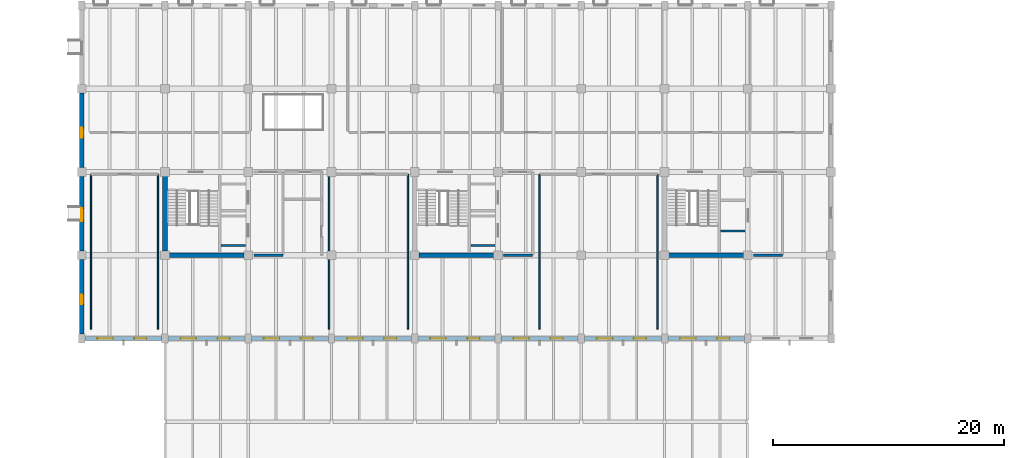
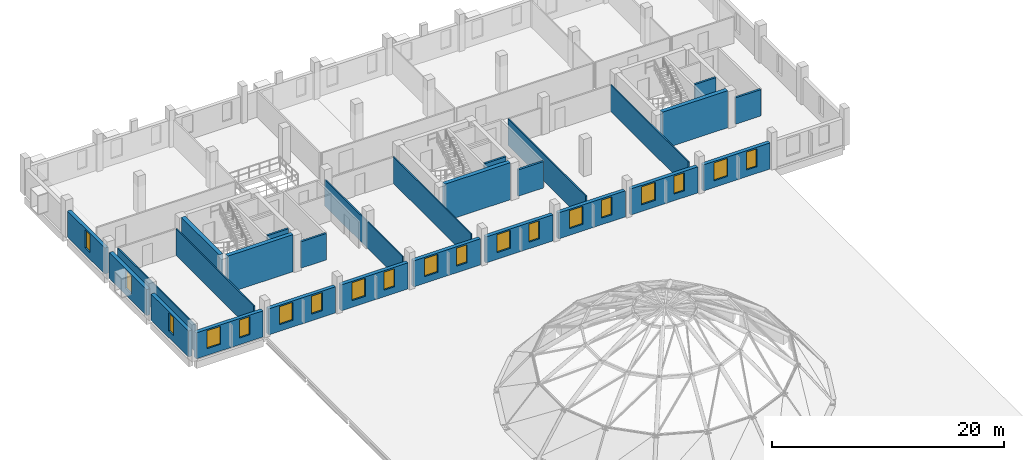
# One storey, part 26 of 32: 27 walls, 19 windows, 19 openings.
"""IFC4 building model written with IfcOpenShell, lengths in metres."""

from ifc_helpers import new_model, si_unit, direction, frame, frame_2d, origin, place, context, subcontext, project, spatial, rectangle, extrude, material, layer, layer_set, type_object, element, fill, save


model = new_model("IFC4")

# Units and contexts
model_context = context("Model", 3, precision=1e-05, world=origin(), true_north=direction((0.0, 1.0)))
body_context = subcontext(model_context, "Body", "Model", "MODEL_VIEW")
ifc_project = project(units=[si_unit("LENGTHUNIT", "METRE"), si_unit("AREAUNIT", "SQUARE_METRE"), si_unit("VOLUMEUNIT", "CUBIC_METRE"), si_unit("PLANEANGLEUNIT", "RADIAN"), si_unit("MASSUNIT", "GRAM", prefix="KILO")], contexts=[model_context])

# Site, building, storey
site_placement = place(None, origin())
site = spatial("IfcSite", under=ifc_project, at=site_placement, CompositionType="ELEMENT")
building_placement = place(site_placement, origin())
building = spatial("IfcBuilding", under=site, at=building_placement, Name="Qiaolan Assembly House", CompositionType="ELEMENT")
storey_placement = place(building_placement, frame((0.0, 0.0, 18.60009765625)))
storey = spatial("IfcBuildingStorey", under=building, at=storey_placement, Name="L04", CompositionType="ELEMENT", Elevation=18.60009765625)

# Walls
ifc_material_1 = material(Name="Concrete C45/55", Category="concrete")
ifc_layer_1 = layer(ifc_material_1, 0.39990234375)
ifc_layer_set_1 = layer_set([ifc_layer_1], Name="Concrete C45/55")
wall_type_1 = type_object("IfcWallType", Name="WAL-CORE-400", PredefinedType="SHEAR", material=ifc_layer_set_1)
for number, where, z_axis, x_axis, name in (
    (1, (43.550048828125, 93.60009765625, 0.0), (0.0, 0.0, 1.0), (1.0, 0.0, 0.0), "CW-400 shear core wall CORE-A S L04"),
    (2, (43.199951171875, 100.449951171875, 0.0), (0.0, 0.0, 1.0), (0.0, -1.0, 0.0), "CW-400 shear core wall CORE-A W L04"),
    (3, (65.14990234375, 93.60009765625, 0.0), (0.0, 0.0, 1.0), (1.0, 0.0, 0.0), "CW-400 shear core wall CORE-B S L04"),
    (4, (86.75, 93.60009765625, 0.0), (0.0, 0.0, 1.0), (1.0, 0.0, 0.0), "CW-400 shear core wall CORE-G S L04"),
):
    element("IfcWall", number, at=place(storey_placement, frame(where, z_axis=z_axis, x_axis=x_axis)), inside=storey, type_object=wall_type_1, Name=name, PredefinedType="SHEAR", context=body_context, shape_type="SweptSolid", body=[
        extrude(rectangle(XDim=6.5, YDim=0.39990234375, at=frame_2d((3.25, 0.0))), origin(), (0.0, 0.0, 1.0), 3.89990234375),
    ])

# Wall, openings, windows
ifc_material_2 = material(Name="Honed pale limestone", Category="masonry")
ifc_layer_2 = layer(ifc_material_2, 0.360107421875)
ifc_layer_set_2 = layer_set([ifc_layer_2], Name="Honed pale limestone")
wall_type_2 = type_object("IfcWallType", Name="WAL-EXT-LIMESTONE-360", PredefinedType="SOLIDWALL", material=ifc_layer_set_2)
wall_1_placement = place(storey_placement, frame((36.278076171875, 86.39990234375, 0.0), z_axis=(0.0, 0.0, 1.0), x_axis=(1.0, 0.0, 0.0)))
wall_1 = element("IfcWall", 5, at=wall_1_placement, inside=storey, type_object=wall_type_2, Name="EW-360 NW South court wall L04 bay 1", PredefinedType="SOLIDWALL", context=body_context, shape_type="SweptSolid", body=[
    extrude(rectangle(XDim=6.64404296875, YDim=0.360107421875, at=frame_2d((3.322021484375, 0.0))), origin(), (0.0, 0.0, 1.0), 2.739990234375),
])
opening_1_placement = place(wall_1_placement, frame((1.072021484375, 0.0, 0.699951171875)))
opening_1 = element("IfcOpeningElement", 6, at=opening_1_placement, cuts=wall_1, Name="Opening WN-130", PredefinedType="OPENING", context=body_context, shape_type="SweptSolid", body=[
    extrude(rectangle(XDim=1.35009765625, YDim=1.889892578125, at=frame_2d((0.675048828125, 0.94482421875))), frame((0.0, 0.18994140625, 0.0), z_axis=(0.0, -1.0, 0.0), x_axis=(1.0, 0.0, 0.0)), (0.0, 0.0, 1.0), 0.380126953125),
])
opening_2_placement = place(wall_1_placement, frame((4.27197265625, 0.0, 0.699951171875)))
opening_2 = element("IfcOpeningElement", 7, at=opening_2_placement, cuts=wall_1, Name="Opening WN-131", PredefinedType="OPENING", context=body_context, shape_type="SweptSolid", body=[
    extrude(rectangle(XDim=1.050048828125, YDim=1.889892578125, at=frame_2d((0.52490234375, 0.94482421875))), frame((0.0, 0.18994140625, 0.0), z_axis=(0.0, -1.0, 0.0), x_axis=(1.0, 0.0, 0.0)), (0.0, 0.0, 1.0), 0.380126953125),
])
ifc_material_3 = material(Name="Low-E double insulating glass", Category="glass")
window_type_1 = type_object("IfcWindowType", Name="WIN-COURT-1350x2400", PartitioningType="DOUBLE_PANEL_VERTICAL", PredefinedType="WINDOW", material=ifc_material_3)
window_1_placement = place(opening_1_placement, origin())
window_1 = element("IfcWindow", 8, at=window_1_placement, inside=storey, type_object=window_type_1, Name="WN-T04 court window WN-130", OverallHeight=1.889892578125, OverallWidth=1.35009765625, PartitioningType="DOUBLE_PANEL_VERTICAL", PredefinedType="WINDOW", context=body_context, shape_type="SweptSolid", body=[
    extrude(rectangle(XDim=1.35009765625, YDim=1.889892578125, at=frame_2d((0.675048828125, 0.94482421875))), frame((0.0, 0.030029296875, 0.0), z_axis=(0.0, -1.0, 0.0), x_axis=(1.0, 0.0, 0.0)), (0.0, 0.0, 1.0), 0.06005859375),
])
fill(opening_1, window_1)
window_type_2 = type_object("IfcWindowType", Name="WIN-PUNCH-1050x2400", PartitioningType="SINGLE_PANEL", PredefinedType="WINDOW", material=ifc_material_3)
window_2_placement = place(opening_2_placement, origin())
window_2 = element("IfcWindow", 9, at=window_2_placement, inside=storey, type_object=window_type_2, Name="WN-T05 court window WN-131", OverallHeight=1.889892578125, OverallWidth=1.050048828125, PartitioningType="SINGLE_PANEL", PredefinedType="WINDOW", context=body_context, shape_type="SweptSolid", body=[
    extrude(rectangle(XDim=1.050048828125, YDim=1.889892578125, at=frame_2d((0.52490234375, 0.94482421875))), frame((0.0, 0.030029296875, 0.0), z_axis=(0.0, -1.0, 0.0), x_axis=(1.0, 0.0, 0.0)), (0.0, 0.0, 1.0), 0.06005859375),
])
fill(opening_2, window_2)

wall_2_placement = place(storey_placement, frame((43.47802734375, 86.39990234375, 0.0), z_axis=(0.0, 0.0, 1.0), x_axis=(1.0, 0.0, 0.0)))
wall_2 = element("IfcWall", 10, at=wall_2_placement, inside=storey, type_object=wall_type_2, Name="EW-360 NW South court wall L04 bay 2", PredefinedType="SOLIDWALL", context=body_context, shape_type="SweptSolid", body=[
    extrude(rectangle(XDim=6.64404296875, YDim=0.360107421875, at=frame_2d((3.322021484375, 0.0))), origin(), (0.0, 0.0, 1.0), 2.739990234375),
])
opening_3_placement = place(wall_2_placement, frame((1.072021484375, 0.0, 0.699951171875)))
opening_3 = element("IfcOpeningElement", 11, at=opening_3_placement, cuts=wall_2, Name="Opening WN-132", PredefinedType="OPENING", context=body_context, shape_type="SweptSolid", body=[
    extrude(rectangle(XDim=1.35009765625, YDim=1.889892578125, at=frame_2d((0.675048828125, 0.94482421875))), frame((0.0, 0.18994140625, 0.0), z_axis=(0.0, -1.0, 0.0), x_axis=(1.0, 0.0, 0.0)), (0.0, 0.0, 1.0), 0.380126953125),
])
opening_4_placement = place(wall_2_placement, frame((4.27197265625, 0.0, 0.699951171875)))
opening_4 = element("IfcOpeningElement", 12, at=opening_4_placement, cuts=wall_2, Name="Opening WN-133", PredefinedType="OPENING", context=body_context, shape_type="SweptSolid", body=[
    extrude(rectangle(XDim=1.050048828125, YDim=1.889892578125, at=frame_2d((0.52490234375, 0.94482421875))), frame((0.0, 0.18994140625, 0.0), z_axis=(0.0, -1.0, 0.0), x_axis=(1.0, 0.0, 0.0)), (0.0, 0.0, 1.0), 0.380126953125),
])
window_3_placement = place(opening_3_placement, origin())
window_3 = element("IfcWindow", 13, at=window_3_placement, inside=storey, type_object=window_type_1, Name="WN-T04 court window WN-132", OverallHeight=1.889892578125, OverallWidth=1.35009765625, PartitioningType="DOUBLE_PANEL_VERTICAL", PredefinedType="WINDOW", context=body_context, shape_type="SweptSolid", body=[
    extrude(rectangle(XDim=1.35009765625, YDim=1.889892578125, at=frame_2d((0.675048828125, 0.94482421875))), frame((0.0, 0.030029296875, 0.0), z_axis=(0.0, -1.0, 0.0), x_axis=(1.0, 0.0, 0.0)), (0.0, 0.0, 1.0), 0.06005859375),
])
fill(opening_3, window_3)
window_4_placement = place(opening_4_placement, origin())
window_4 = element("IfcWindow", 14, at=window_4_placement, inside=storey, type_object=window_type_2, Name="WN-T05 court window WN-133", OverallHeight=1.889892578125, OverallWidth=1.050048828125, PartitioningType="SINGLE_PANEL", PredefinedType="WINDOW", context=body_context, shape_type="SweptSolid", body=[
    extrude(rectangle(XDim=1.050048828125, YDim=1.889892578125, at=frame_2d((0.52490234375, 0.94482421875))), frame((0.0, 0.030029296875, 0.0), z_axis=(0.0, -1.0, 0.0), x_axis=(1.0, 0.0, 0.0)), (0.0, 0.0, 1.0), 0.06005859375),
])
fill(opening_4, window_4)

wall_3_placement = place(storey_placement, frame((50.677978515625, 86.39990234375, 0.0), z_axis=(0.0, 0.0, 1.0), x_axis=(1.0, 0.0, 0.0)))
wall_3 = element("IfcWall", 15, at=wall_3_placement, inside=storey, type_object=wall_type_2, Name="EW-360 NW South court wall L04 bay 3", PredefinedType="SOLIDWALL", context=body_context, shape_type="SweptSolid", body=[
    extrude(rectangle(XDim=6.64404296875, YDim=0.360107421875, at=frame_2d((3.322021484375, 0.0))), origin(), (0.0, 0.0, 1.0), 2.739990234375),
])
opening_5_placement = place(wall_3_placement, frame((1.072021484375, 0.0, 0.699951171875)))
opening_5 = element("IfcOpeningElement", 16, at=opening_5_placement, cuts=wall_3, Name="Opening WN-134", PredefinedType="OPENING", context=body_context, shape_type="SweptSolid", body=[
    extrude(rectangle(XDim=1.35009765625, YDim=1.889892578125, at=frame_2d((0.675048828125, 0.94482421875))), frame((0.0, 0.18994140625, 0.0), z_axis=(0.0, -1.0, 0.0), x_axis=(1.0, 0.0, 0.0)), (0.0, 0.0, 1.0), 0.380126953125),
])
opening_6_placement = place(wall_3_placement, frame((4.27197265625, 0.0, 0.699951171875)))
opening_6 = element("IfcOpeningElement", 17, at=opening_6_placement, cuts=wall_3, Name="Opening WN-135", PredefinedType="OPENING", context=body_context, shape_type="SweptSolid", body=[
    extrude(rectangle(XDim=1.050048828125, YDim=1.889892578125, at=frame_2d((0.52490234375, 0.94482421875))), frame((0.0, 0.18994140625, 0.0), z_axis=(0.0, -1.0, 0.0), x_axis=(1.0, 0.0, 0.0)), (0.0, 0.0, 1.0), 0.380126953125),
])
window_5_placement = place(opening_5_placement, origin())
window_5 = element("IfcWindow", 18, at=window_5_placement, inside=storey, type_object=window_type_1, Name="WN-T04 court window WN-134", OverallHeight=1.889892578125, OverallWidth=1.35009765625, PartitioningType="DOUBLE_PANEL_VERTICAL", PredefinedType="WINDOW", context=body_context, shape_type="SweptSolid", body=[
    extrude(rectangle(XDim=1.35009765625, YDim=1.889892578125, at=frame_2d((0.675048828125, 0.94482421875))), frame((0.0, 0.030029296875, 0.0), z_axis=(0.0, -1.0, 0.0), x_axis=(1.0, 0.0, 0.0)), (0.0, 0.0, 1.0), 0.06005859375),
])
fill(opening_5, window_5)
window_6_placement = place(opening_6_placement, origin())
window_6 = element("IfcWindow", 19, at=window_6_placement, inside=storey, type_object=window_type_2, Name="WN-T05 court window WN-135", OverallHeight=1.889892578125, OverallWidth=1.050048828125, PartitioningType="SINGLE_PANEL", PredefinedType="WINDOW", context=body_context, shape_type="SweptSolid", body=[
    extrude(rectangle(XDim=1.050048828125, YDim=1.889892578125, at=frame_2d((0.52490234375, 0.94482421875))), frame((0.0, 0.030029296875, 0.0), z_axis=(0.0, -1.0, 0.0), x_axis=(1.0, 0.0, 0.0)), (0.0, 0.0, 1.0), 0.06005859375),
])
fill(opening_6, window_6)

wall_4_placement = place(storey_placement, frame((57.8779296875, 86.39990234375, 0.0), z_axis=(0.0, 0.0, 1.0), x_axis=(1.0, 0.0, 0.0)))
wall_4 = element("IfcWall", 20, at=wall_4_placement, inside=storey, type_object=wall_type_2, Name="EW-360 NW South court wall L04 bay 4", PredefinedType="SOLIDWALL", context=body_context, shape_type="SweptSolid", body=[
    extrude(rectangle(XDim=6.64404296875, YDim=0.360107421875, at=frame_2d((3.322021484375, 0.0))), origin(), (0.0, 0.0, 1.0), 2.739990234375),
])
opening_7_placement = place(wall_4_placement, frame((1.072021484375, 0.0, 0.699951171875)))
opening_7 = element("IfcOpeningElement", 21, at=opening_7_placement, cuts=wall_4, Name="Opening WN-136", PredefinedType="OPENING", context=body_context, shape_type="SweptSolid", body=[
    extrude(rectangle(XDim=1.35009765625, YDim=1.889892578125, at=frame_2d((0.675048828125, 0.94482421875))), frame((0.0, 0.18994140625, 0.0), z_axis=(0.0, -1.0, 0.0), x_axis=(1.0, 0.0, 0.0)), (0.0, 0.0, 1.0), 0.380126953125),
])
opening_8_placement = place(wall_4_placement, frame((4.27197265625, 0.0, 0.699951171875)))
opening_8 = element("IfcOpeningElement", 22, at=opening_8_placement, cuts=wall_4, Name="Opening WN-137", PredefinedType="OPENING", context=body_context, shape_type="SweptSolid", body=[
    extrude(rectangle(XDim=1.050048828125, YDim=1.889892578125, at=frame_2d((0.52490234375, 0.94482421875))), frame((0.0, 0.18994140625, 0.0), z_axis=(0.0, -1.0, 0.0), x_axis=(1.0, 0.0, 0.0)), (0.0, 0.0, 1.0), 0.380126953125),
])
window_7_placement = place(opening_7_placement, origin())
window_7 = element("IfcWindow", 23, at=window_7_placement, inside=storey, type_object=window_type_1, Name="WN-T04 court window WN-136", OverallHeight=1.889892578125, OverallWidth=1.35009765625, PartitioningType="DOUBLE_PANEL_VERTICAL", PredefinedType="WINDOW", context=body_context, shape_type="SweptSolid", body=[
    extrude(rectangle(XDim=1.35009765625, YDim=1.889892578125, at=frame_2d((0.675048828125, 0.94482421875))), frame((0.0, 0.030029296875, 0.0), z_axis=(0.0, -1.0, 0.0), x_axis=(1.0, 0.0, 0.0)), (0.0, 0.0, 1.0), 0.06005859375),
])
fill(opening_7, window_7)
window_8_placement = place(opening_8_placement, origin())
window_8 = element("IfcWindow", 24, at=window_8_placement, inside=storey, type_object=window_type_2, Name="WN-T05 court window WN-137", OverallHeight=1.889892578125, OverallWidth=1.050048828125, PartitioningType="SINGLE_PANEL", PredefinedType="WINDOW", context=body_context, shape_type="SweptSolid", body=[
    extrude(rectangle(XDim=1.050048828125, YDim=1.889892578125, at=frame_2d((0.52490234375, 0.94482421875))), frame((0.0, 0.030029296875, 0.0), z_axis=(0.0, -1.0, 0.0), x_axis=(1.0, 0.0, 0.0)), (0.0, 0.0, 1.0), 0.06005859375),
])
fill(opening_8, window_8)

wall_5_placement = place(storey_placement, frame((65.077880859375, 86.39990234375, 0.0), z_axis=(0.0, 0.0, 1.0), x_axis=(1.0, 0.0, 0.0)))
wall_5 = element("IfcWall", 25, at=wall_5_placement, inside=storey, type_object=wall_type_2, Name="EW-360 NW South court wall L04 bay 5", PredefinedType="SOLIDWALL", context=body_context, shape_type="SweptSolid", body=[
    extrude(rectangle(XDim=6.64404296875, YDim=0.360107421875, at=frame_2d((3.322021484375, 0.0))), origin(), (0.0, 0.0, 1.0), 2.739990234375),
])
opening_9_placement = place(wall_5_placement, frame((1.072021484375, 0.0, 0.699951171875)))
opening_9 = element("IfcOpeningElement", 26, at=opening_9_placement, cuts=wall_5, Name="Opening WN-138", PredefinedType="OPENING", context=body_context, shape_type="SweptSolid", body=[
    extrude(rectangle(XDim=1.35009765625, YDim=1.889892578125, at=frame_2d((0.675048828125, 0.94482421875))), frame((0.0, 0.18994140625, 0.0), z_axis=(0.0, -1.0, 0.0), x_axis=(1.0, 0.0, 0.0)), (0.0, 0.0, 1.0), 0.380126953125),
])
opening_10_placement = place(wall_5_placement, frame((4.27197265625, 0.0, 0.699951171875)))
opening_10 = element("IfcOpeningElement", 27, at=opening_10_placement, cuts=wall_5, Name="Opening WN-139", PredefinedType="OPENING", context=body_context, shape_type="SweptSolid", body=[
    extrude(rectangle(XDim=1.050048828125, YDim=1.889892578125, at=frame_2d((0.52490234375, 0.94482421875))), frame((0.0, 0.18994140625, 0.0), z_axis=(0.0, -1.0, 0.0), x_axis=(1.0, 0.0, 0.0)), (0.0, 0.0, 1.0), 0.380126953125),
])
window_9_placement = place(opening_9_placement, origin())
window_9 = element("IfcWindow", 28, at=window_9_placement, inside=storey, type_object=window_type_1, Name="WN-T04 court window WN-138", OverallHeight=1.889892578125, OverallWidth=1.35009765625, PartitioningType="DOUBLE_PANEL_VERTICAL", PredefinedType="WINDOW", context=body_context, shape_type="SweptSolid", body=[
    extrude(rectangle(XDim=1.35009765625, YDim=1.889892578125, at=frame_2d((0.675048828125, 0.94482421875))), frame((0.0, 0.030029296875, 0.0), z_axis=(0.0, -1.0, 0.0), x_axis=(1.0, 0.0, 0.0)), (0.0, 0.0, 1.0), 0.06005859375),
])
fill(opening_9, window_9)
window_10_placement = place(opening_10_placement, origin())
window_10 = element("IfcWindow", 29, at=window_10_placement, inside=storey, type_object=window_type_2, Name="WN-T05 court window WN-139", OverallHeight=1.889892578125, OverallWidth=1.050048828125, PartitioningType="SINGLE_PANEL", PredefinedType="WINDOW", context=body_context, shape_type="SweptSolid", body=[
    extrude(rectangle(XDim=1.050048828125, YDim=1.889892578125, at=frame_2d((0.52490234375, 0.94482421875))), frame((0.0, 0.030029296875, 0.0), z_axis=(0.0, -1.0, 0.0), x_axis=(1.0, 0.0, 0.0)), (0.0, 0.0, 1.0), 0.06005859375),
])
fill(opening_10, window_10)

wall_6_placement = place(storey_placement, frame((72.278076171875, 86.39990234375, 0.0), z_axis=(0.0, 0.0, 1.0), x_axis=(1.0, 0.0, 0.0)))
wall_6 = element("IfcWall", 30, at=wall_6_placement, inside=storey, type_object=wall_type_2, Name="EW-360 NW South court wall L04 bay 6", PredefinedType="SOLIDWALL", context=body_context, shape_type="SweptSolid", body=[
    extrude(rectangle(XDim=6.64404296875, YDim=0.360107421875, at=frame_2d((3.322021484375, 0.0))), origin(), (0.0, 0.0, 1.0), 2.739990234375),
])
opening_11_placement = place(wall_6_placement, frame((1.072021484375, 0.0, 0.699951171875)))
opening_11 = element("IfcOpeningElement", 31, at=opening_11_placement, cuts=wall_6, Name="Opening WN-140", PredefinedType="OPENING", context=body_context, shape_type="SweptSolid", body=[
    extrude(rectangle(XDim=1.35009765625, YDim=1.889892578125, at=frame_2d((0.675048828125, 0.94482421875))), frame((0.0, 0.18994140625, 0.0), z_axis=(0.0, -1.0, 0.0), x_axis=(1.0, 0.0, 0.0)), (0.0, 0.0, 1.0), 0.380126953125),
])
opening_12_placement = place(wall_6_placement, frame((4.27197265625, 0.0, 0.699951171875)))
opening_12 = element("IfcOpeningElement", 32, at=opening_12_placement, cuts=wall_6, Name="Opening WN-141", PredefinedType="OPENING", context=body_context, shape_type="SweptSolid", body=[
    extrude(rectangle(XDim=1.050048828125, YDim=1.889892578125, at=frame_2d((0.52490234375, 0.94482421875))), frame((0.0, 0.18994140625, 0.0), z_axis=(0.0, -1.0, 0.0), x_axis=(1.0, 0.0, 0.0)), (0.0, 0.0, 1.0), 0.380126953125),
])
window_11_placement = place(opening_11_placement, origin())
window_11 = element("IfcWindow", 33, at=window_11_placement, inside=storey, type_object=window_type_1, Name="WN-T04 court window WN-140", OverallHeight=1.889892578125, OverallWidth=1.35009765625, PartitioningType="DOUBLE_PANEL_VERTICAL", PredefinedType="WINDOW", context=body_context, shape_type="SweptSolid", body=[
    extrude(rectangle(XDim=1.35009765625, YDim=1.889892578125, at=frame_2d((0.675048828125, 0.94482421875))), frame((0.0, 0.030029296875, 0.0), z_axis=(0.0, -1.0, 0.0), x_axis=(1.0, 0.0, 0.0)), (0.0, 0.0, 1.0), 0.06005859375),
])
fill(opening_11, window_11)
window_12_placement = place(opening_12_placement, origin())
window_12 = element("IfcWindow", 34, at=window_12_placement, inside=storey, type_object=window_type_2, Name="WN-T05 court window WN-141", OverallHeight=1.889892578125, OverallWidth=1.050048828125, PartitioningType="SINGLE_PANEL", PredefinedType="WINDOW", context=body_context, shape_type="SweptSolid", body=[
    extrude(rectangle(XDim=1.050048828125, YDim=1.889892578125, at=frame_2d((0.52490234375, 0.94482421875))), frame((0.0, 0.030029296875, 0.0), z_axis=(0.0, -1.0, 0.0), x_axis=(1.0, 0.0, 0.0)), (0.0, 0.0, 1.0), 0.06005859375),
])
fill(opening_12, window_12)

wall_7_placement = place(storey_placement, frame((79.47802734375, 86.39990234375, 0.0), z_axis=(0.0, 0.0, 1.0), x_axis=(1.0, 0.0, 0.0)))
wall_7 = element("IfcWall", 35, at=wall_7_placement, inside=storey, type_object=wall_type_2, Name="EW-360 NW South court wall L04 bay 7", PredefinedType="SOLIDWALL", context=body_context, shape_type="SweptSolid", body=[
    extrude(rectangle(XDim=6.64404296875, YDim=0.360107421875, at=frame_2d((3.322021484375, 0.0))), origin(), (0.0, 0.0, 1.0), 2.739990234375),
])
opening_13_placement = place(wall_7_placement, frame((1.072021484375, 0.0, 0.699951171875)))
opening_13 = element("IfcOpeningElement", 36, at=opening_13_placement, cuts=wall_7, Name="Opening WN-142", PredefinedType="OPENING", context=body_context, shape_type="SweptSolid", body=[
    extrude(rectangle(XDim=1.35009765625, YDim=1.889892578125, at=frame_2d((0.675048828125, 0.94482421875))), frame((0.0, 0.18994140625, 0.0), z_axis=(0.0, -1.0, 0.0), x_axis=(1.0, 0.0, 0.0)), (0.0, 0.0, 1.0), 0.380126953125),
])
opening_14_placement = place(wall_7_placement, frame((4.27197265625, 0.0, 0.699951171875)))
opening_14 = element("IfcOpeningElement", 37, at=opening_14_placement, cuts=wall_7, Name="Opening WN-143", PredefinedType="OPENING", context=body_context, shape_type="SweptSolid", body=[
    extrude(rectangle(XDim=1.050048828125, YDim=1.889892578125, at=frame_2d((0.52490234375, 0.94482421875))), frame((0.0, 0.18994140625, 0.0), z_axis=(0.0, -1.0, 0.0), x_axis=(1.0, 0.0, 0.0)), (0.0, 0.0, 1.0), 0.380126953125),
])
window_13_placement = place(opening_13_placement, origin())
window_13 = element("IfcWindow", 38, at=window_13_placement, inside=storey, type_object=window_type_1, Name="WN-T04 court window WN-142", OverallHeight=1.889892578125, OverallWidth=1.35009765625, PartitioningType="DOUBLE_PANEL_VERTICAL", PredefinedType="WINDOW", context=body_context, shape_type="SweptSolid", body=[
    extrude(rectangle(XDim=1.35009765625, YDim=1.889892578125, at=frame_2d((0.675048828125, 0.94482421875))), frame((0.0, 0.030029296875, 0.0), z_axis=(0.0, -1.0, 0.0), x_axis=(1.0, 0.0, 0.0)), (0.0, 0.0, 1.0), 0.06005859375),
])
fill(opening_13, window_13)
window_14_placement = place(opening_14_placement, origin())
window_14 = element("IfcWindow", 39, at=window_14_placement, inside=storey, type_object=window_type_2, Name="WN-T05 court window WN-143", OverallHeight=1.889892578125, OverallWidth=1.050048828125, PartitioningType="SINGLE_PANEL", PredefinedType="WINDOW", context=body_context, shape_type="SweptSolid", body=[
    extrude(rectangle(XDim=1.050048828125, YDim=1.889892578125, at=frame_2d((0.52490234375, 0.94482421875))), frame((0.0, 0.030029296875, 0.0), z_axis=(0.0, -1.0, 0.0), x_axis=(1.0, 0.0, 0.0)), (0.0, 0.0, 1.0), 0.06005859375),
])
fill(opening_14, window_14)

wall_8_placement = place(storey_placement, frame((86.677978515625, 86.39990234375, 0.0), z_axis=(0.0, 0.0, 1.0), x_axis=(1.0, 0.0, 0.0)))
wall_8 = element("IfcWall", 40, at=wall_8_placement, inside=storey, type_object=wall_type_2, Name="EW-360 NW South court wall L04 bay 8", PredefinedType="SOLIDWALL", context=body_context, shape_type="SweptSolid", body=[
    extrude(rectangle(XDim=6.64404296875, YDim=0.360107421875, at=frame_2d((3.322021484375, 0.0))), origin(), (0.0, 0.0, 1.0), 2.739990234375),
])
opening_15_placement = place(wall_8_placement, frame((1.072021484375, 0.0, 0.699951171875)))
opening_15 = element("IfcOpeningElement", 41, at=opening_15_placement, cuts=wall_8, Name="Opening WN-144", PredefinedType="OPENING", context=body_context, shape_type="SweptSolid", body=[
    extrude(rectangle(XDim=1.35009765625, YDim=1.889892578125, at=frame_2d((0.675048828125, 0.94482421875))), frame((0.0, 0.18994140625, 0.0), z_axis=(0.0, -1.0, 0.0), x_axis=(1.0, 0.0, 0.0)), (0.0, 0.0, 1.0), 0.380126953125),
])
opening_16_placement = place(wall_8_placement, frame((4.27197265625, 0.0, 0.699951171875)))
opening_16 = element("IfcOpeningElement", 42, at=opening_16_placement, cuts=wall_8, Name="Opening WN-145", PredefinedType="OPENING", context=body_context, shape_type="SweptSolid", body=[
    extrude(rectangle(XDim=1.050048828125, YDim=1.889892578125, at=frame_2d((0.52490234375, 0.94482421875))), frame((0.0, 0.18994140625, 0.0), z_axis=(0.0, -1.0, 0.0), x_axis=(1.0, 0.0, 0.0)), (0.0, 0.0, 1.0), 0.380126953125),
])
window_15_placement = place(opening_15_placement, origin())
window_15 = element("IfcWindow", 43, at=window_15_placement, inside=storey, type_object=window_type_1, Name="WN-T04 court window WN-144", OverallHeight=1.889892578125, OverallWidth=1.35009765625, PartitioningType="DOUBLE_PANEL_VERTICAL", PredefinedType="WINDOW", context=body_context, shape_type="SweptSolid", body=[
    extrude(rectangle(XDim=1.35009765625, YDim=1.889892578125, at=frame_2d((0.675048828125, 0.94482421875))), frame((0.0, 0.030029296875, 0.0), z_axis=(0.0, -1.0, 0.0), x_axis=(1.0, 0.0, 0.0)), (0.0, 0.0, 1.0), 0.06005859375),
])
fill(opening_15, window_15)
window_16_placement = place(opening_16_placement, origin())
window_16 = element("IfcWindow", 44, at=window_16_placement, inside=storey, type_object=window_type_2, Name="WN-T05 court window WN-145", OverallHeight=1.889892578125, OverallWidth=1.050048828125, PartitioningType="SINGLE_PANEL", PredefinedType="WINDOW", context=body_context, shape_type="SweptSolid", body=[
    extrude(rectangle(XDim=1.050048828125, YDim=1.889892578125, at=frame_2d((0.52490234375, 0.94482421875))), frame((0.0, 0.030029296875, 0.0), z_axis=(0.0, -1.0, 0.0), x_axis=(1.0, 0.0, 0.0)), (0.0, 0.0, 1.0), 0.06005859375),
])
fill(opening_16, window_16)

# Wall, opening, window
wall_9_placement = place(storey_placement, frame((36.0, 86.800537109375, 0.0), z_axis=(0.0, 0.0, 1.0), x_axis=(0.0, 1.0, 0.0)))
wall_9 = element("IfcWall", 45, at=wall_9_placement, inside=storey, type_object=wall_type_2, Name="NW West avenue wall L04-1", PredefinedType="SOLIDWALL", context=body_context, shape_type="SweptSolid", body=[
    extrude(rectangle(XDim=6.42138671875, YDim=0.360107421875, at=frame_2d((3.210693359375, 0.0))), origin(), (0.0, 0.0, 1.0), 2.739990234375),
])
opening_17_placement = place(wall_9_placement, frame((2.549560546875, 0.0, 0.699951171875)))
opening_17 = element("IfcOpeningElement", 46, at=opening_17_placement, cuts=wall_9, Name="Opening WN-148", PredefinedType="OPENING", context=body_context, shape_type="SweptSolid", body=[
    extrude(rectangle(XDim=0.85009765625, YDim=1.889892578125, at=frame_2d((0.425048828125, 0.94482421875))), frame((0.0, 0.18994140625, 0.0), z_axis=(0.0, -1.0, 0.0), x_axis=(1.0, 0.0, 0.0)), (0.0, 0.0, 1.0), 0.380126953125),
])
window_type_3 = type_object("IfcWindowType", Name="WIN-END-850x2200", PartitioningType="SINGLE_PANEL", PredefinedType="WINDOW", material=ifc_material_3)
window_17_placement = place(opening_17_placement, origin())
window_17 = element("IfcWindow", 47, at=window_17_placement, inside=storey, type_object=window_type_3, Name="NW West window WN-148", OverallHeight=1.889892578125, OverallWidth=0.85009765625, PartitioningType="SINGLE_PANEL", PredefinedType="WINDOW", context=body_context, shape_type="SweptSolid", body=[
    extrude(rectangle(XDim=0.85009765625, YDim=1.889892578125, at=frame_2d((0.425048828125, 0.94482421875))), frame((0.0, 0.030029296875, 0.0), z_axis=(0.0, -1.0, 0.0), x_axis=(1.0, 0.0, 0.0)), (0.0, 0.0, 1.0), 0.06005859375),
])
fill(opening_17, window_17)

wall_10_placement = place(storey_placement, frame((36.0, 93.97802734375, 0.0), z_axis=(0.0, 0.0, 1.0), x_axis=(0.0, 1.0, 0.0)))
wall_10 = element("IfcWall", 48, at=wall_10_placement, inside=storey, type_object=wall_type_2, Name="NW West avenue wall L04-2", PredefinedType="SOLIDWALL", context=body_context, shape_type="SweptSolid", body=[
    extrude(rectangle(XDim=6.444091796875, YDim=0.360107421875, at=frame_2d((3.22216796875, 0.0))), origin(), (0.0, 0.0, 1.0), 2.739990234375),
])
opening_18_placement = place(wall_10_placement, frame((2.572021484375, 0.0, 0.699951171875)))
opening_18 = element("IfcOpeningElement", 49, at=opening_18_placement, cuts=wall_10, Name="Opening WN-150", PredefinedType="OPENING", context=body_context, shape_type="SweptSolid", body=[
    extrude(rectangle(XDim=1.10009765625, YDim=1.889892578125, at=frame_2d((0.550048828125, 0.94482421875))), frame((0.0, 0.18994140625, 0.0), z_axis=(0.0, -1.0, 0.0), x_axis=(1.0, 0.0, 0.0)), (0.0, 0.0, 1.0), 0.380126953125),
])
window_type_4 = type_object("IfcWindowType", Name="WIN-BOX-1100x2350", PartitioningType="SINGLE_PANEL", PredefinedType="WINDOW", material=ifc_material_3)
window_18_placement = place(opening_18_placement, origin())
window_18 = element("IfcWindow", 50, at=window_18_placement, inside=storey, type_object=window_type_4, Name="NW West window WN-150", OverallHeight=1.889892578125, OverallWidth=1.10009765625, PartitioningType="SINGLE_PANEL", PredefinedType="WINDOW", context=body_context, shape_type="SweptSolid", body=[
    extrude(rectangle(XDim=1.10009765625, YDim=1.889892578125, at=frame_2d((0.550048828125, 0.94482421875))), frame((0.0, 0.030029296875, 0.0), z_axis=(0.0, -1.0, 0.0), x_axis=(1.0, 0.0, 0.0)), (0.0, 0.0, 1.0), 0.06005859375),
])
fill(opening_18, window_18)

wall_11_placement = place(storey_placement, frame((36.0, 101.177978515625, 0.0), z_axis=(0.0, 0.0, 1.0), x_axis=(0.0, 1.0, 0.0)))
wall_11 = element("IfcWall", 51, at=wall_11_placement, inside=storey, type_object=wall_type_2, Name="NW West avenue wall L04-3", PredefinedType="SOLIDWALL", context=body_context, shape_type="SweptSolid", body=[
    extrude(rectangle(XDim=6.444091796875, YDim=0.360107421875, at=frame_2d((3.22216796875, 0.0))), origin(), (0.0, 0.0, 1.0), 2.739990234375),
])
opening_19_placement = place(wall_11_placement, frame((2.572021484375, 0.0, 0.699951171875)))
opening_19 = element("IfcOpeningElement", 52, at=opening_19_placement, cuts=wall_11, Name="Opening WN-152", PredefinedType="OPENING", context=body_context, shape_type="SweptSolid", body=[
    extrude(rectangle(XDim=0.85009765625, YDim=1.889892578125, at=frame_2d((0.425048828125, 0.94482421875))), frame((0.0, 0.18994140625, 0.0), z_axis=(0.0, -1.0, 0.0), x_axis=(1.0, 0.0, 0.0)), (0.0, 0.0, 1.0), 0.380126953125),
])
window_19_placement = place(opening_19_placement, origin())
window_19 = element("IfcWindow", 53, at=window_19_placement, inside=storey, type_object=window_type_3, Name="NW West window WN-152", OverallHeight=1.889892578125, OverallWidth=0.85009765625, PartitioningType="SINGLE_PANEL", PredefinedType="WINDOW", context=body_context, shape_type="SweptSolid", body=[
    extrude(rectangle(XDim=0.85009765625, YDim=1.889892578125, at=frame_2d((0.425048828125, 0.94482421875))), frame((0.0, 0.030029296875, 0.0), z_axis=(0.0, -1.0, 0.0), x_axis=(1.0, 0.0, 0.0)), (0.0, 0.0, 1.0), 0.06005859375),
])
fill(opening_19, window_19)

# Walls
ifc_material_4 = material(Name="Concrete C35/45", Category="concrete")
ifc_layer_3 = layer(ifc_material_4, 0.199951171875)
ifc_layer_set_3 = layer_set([ifc_layer_3], Name="Concrete C35/45")
wall_type_3 = type_object("IfcWallType", Name="WAL-LOBBY-200", PredefinedType="PARTITIONING", material=ifc_layer_set_3)
for number, where, z_axis, x_axis, name in (
    (54, (50.8798828125, 93.60009765625, 0.0), (0.0, 0.0, 1.0), (1.0, 0.0, 0.0), "Firefighting lift lobby south wall CORE-A L04"),
    (55, (72.47998046875, 93.60009765625, 0.0), (0.0, 0.0, 1.0), (1.0, 0.0, 0.0), "Firefighting lift lobby south wall CORE-B L04"),
    (56, (94.080078125, 93.60009765625, 0.0), (0.0, 0.0, 1.0), (1.0, 0.0, 0.0), "Firefighting lift lobby south wall CORE-G L04"),
):
    element("IfcWall", number, at=place(storey_placement, frame(where, z_axis=z_axis, x_axis=x_axis)), inside=storey, type_object=wall_type_3, Name=name, PredefinedType="PARTITIONING", context=body_context, shape_type="SweptSolid", body=[
        extrude(rectangle(XDim=2.52001953125, YDim=0.199951171875, at=frame_2d((1.260009765625, 0.0))), origin(), (0.0, 0.0, 1.0), 2.77978515625),
    ])
ifc_material_5 = material(Name="Gypsum plasterboard partition")
ifc_layer_4 = layer(ifc_material_5, 0.1201171875)
ifc_layer_set_4 = layer_set([ifc_layer_4], Name="Gypsum plasterboard partition")
wall_type_4 = type_object("IfcWallType", Name="WAL-PART-120", PredefinedType="PARTITIONING", material=ifc_layer_set_4)
for number, where, z_axis, x_axis, name in (
    (57, (36.800048828125, 87.199951171875, 0.0), (0.0, 0.0, 1.0), (0.0, 1.0, 0.0), "Internal Audit Working Suite west wall"),
    (58, (42.60009765625, 100.60009765625, 0.0), (0.0, 0.0, 1.0), (0.0, -1.0, 0.0), "Internal Audit Working Suite east wall"),
    (59, (57.39990234375, 87.199951171875, 0.0), (0.0, 0.0, 1.0), (0.0, 1.0, 0.0), "Procurement Evaluation Room west wall"),
    (60, (64.199951171875, 100.60009765625, 0.0), (0.0, 0.0, 1.0), (0.0, -1.0, 0.0), "Procurement Evaluation Room east wall"),
    (61, (75.60009765625, 87.199951171875, 0.0), (0.0, 0.0, 1.0), (0.0, 1.0, 0.0), "Treasury & Revenue Accounts Office west wall"),
    (62, (85.800048828125, 100.60009765625, 0.0), (0.0, 0.0, 1.0), (0.0, -1.0, 0.0), "Treasury & Revenue Accounts Office east wall"),
):
    element("IfcWall", number, at=place(storey_placement, frame(where, z_axis=z_axis, x_axis=x_axis)), inside=storey, type_object=wall_type_4, Name=name, PredefinedType="PARTITIONING", context=body_context, shape_type="SweptSolid", body=[
        extrude(rectangle(XDim=13.400146484375, YDim=0.1201171875, at=frame_2d((6.7001953125, 0.0))), origin(), (0.0, 0.0, 1.0), 2.77978515625),
    ])
ifc_layer_5 = layer(ifc_material_4, 0.18505859375)
ifc_layer_set_5 = layer_set([ifc_layer_5], Name="Concrete C35/45")
wall_type_5 = type_object("IfcWallType", Name="WAL-SHAFT-200", PredefinedType="PARTITIONING", material=ifc_layer_set_5)
wall_12_placement = place(storey_placement, frame((48.050048828125, 94.449951171875, 0.0), z_axis=(0.0, 0.0, 1.0), x_axis=(1.0, 0.0, 0.0)))
element("IfcWall", 63, at=wall_12_placement, inside=storey, type_object=wall_type_5, Name="SW-200 lift shaft wall LF-01 L04 DIVS", PredefinedType="PARTITIONING", context=body_context, shape_type="SweptSolid", body=[
    extrude(rectangle(XDim=2.099853515625, YDim=0.18505859375, at=frame_2d((1.0498046875, 0.0))), origin(), (0.0, 0.0, 1.0), 3.89990234375),
])
for number, where, z_axis, x_axis, name in (
    (64, (69.64990234375, 94.449951171875, 0.0), (0.0, 0.0, 1.0), (1.0, 0.0, 0.0), "SW-200 lift shaft wall LF-03 L04 DIVS"),
    (65, (91.25, 95.699951171875, 0.0), (0.0, 0.0, 1.0), (1.0, 0.0, 0.0), "SW-200 lift shaft wall LF-05 L04 DIVS"),
):
    element("IfcWall", number, at=place(storey_placement, frame(where, z_axis=z_axis, x_axis=x_axis)), inside=storey, type_object=wall_type_5, Name=name, PredefinedType="PARTITIONING", context=body_context, shape_type="SweptSolid", body=[
        extrude(rectangle(XDim=2.10009765625, YDim=0.18505859375, at=frame_2d((1.050048828125, 0.0))), origin(), (0.0, 0.0, 1.0), 3.89990234375),
    ])

save(model, "model.ifc")
